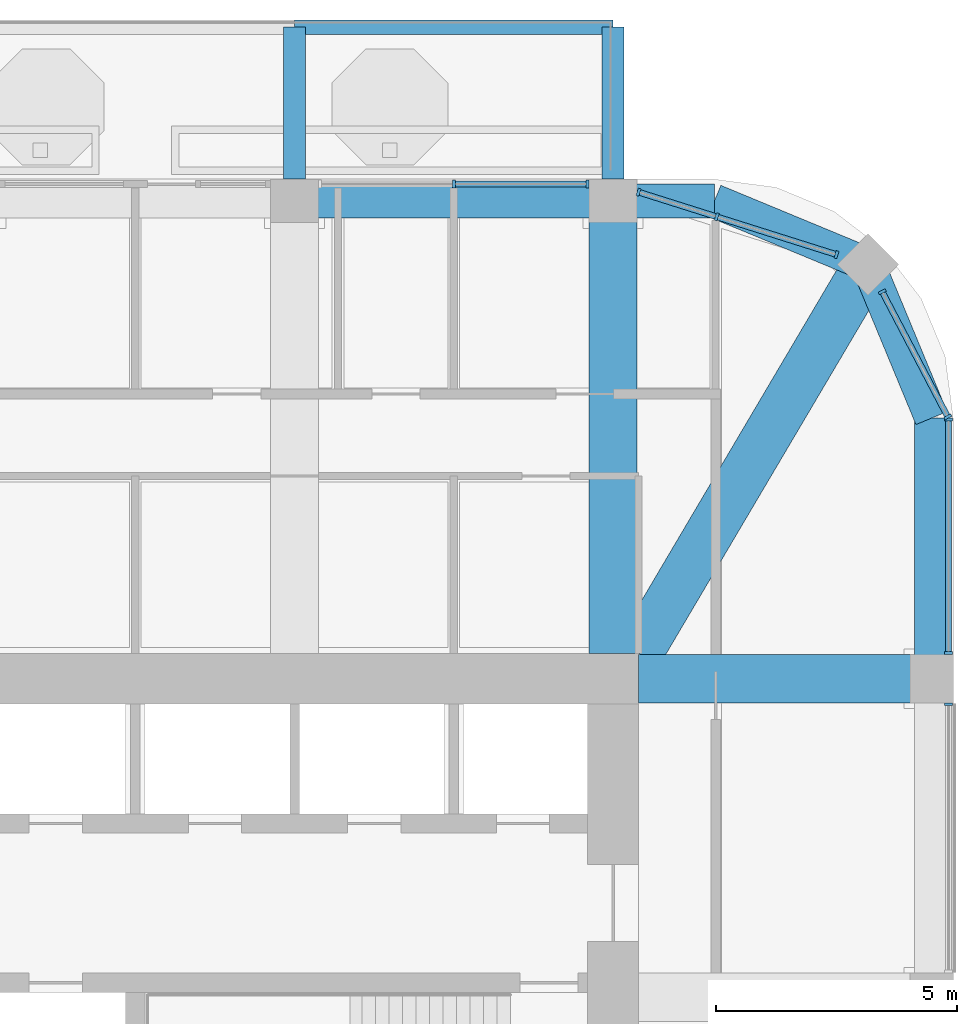
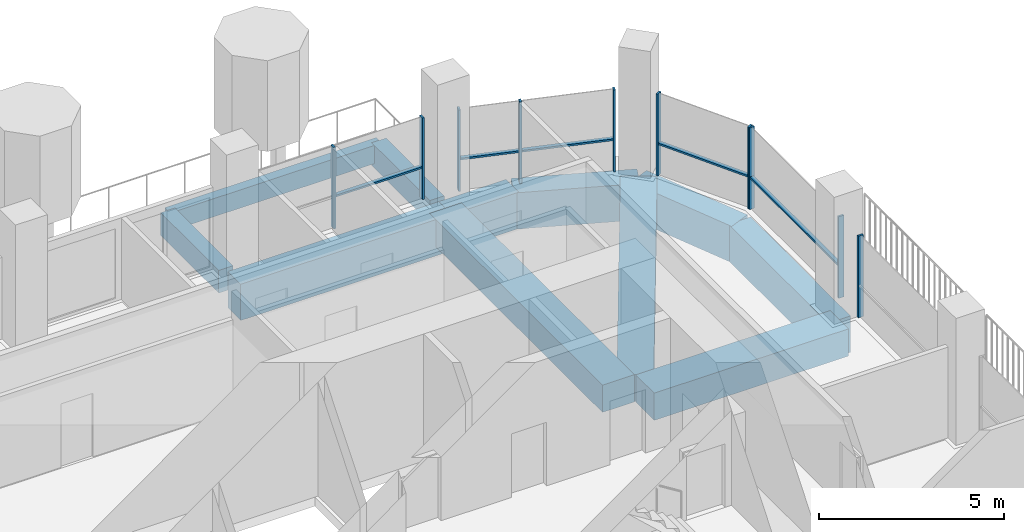
# One storey, part 7 of 21: 15 members, 11 beams, 5 elements without a shape of their own.
"""IFC4 building model written with IfcOpenShell, lengths in metres."""

import ifcopenshell
import ifcopenshell.guid

model = None  # the IFC model being written
_history = None  # IfcOwnerHistory: only IFC2X3 demands one
_inside = {}  # id of a spatial element -> (the spatial element, [elements in it])
_under = {}  # id of a project, library or spatial element -> (it, [spatial elements below it])
_declared = {}  # id of a project -> (the project, [libraries it declares])
_typed = {}  # id of a type object -> (the type object, [elements of that type])
_made_of = {}  # id of a material, layer set ... -> (it, [elements and type objects made of it])


def new_model(schema):
    """Start an empty IFC model of exactly this schema.

    Asked for "IFC4X3", IfcOpenShell would pick the latest addendum, in which some entities
    have other attributes; the version numbers below select the first issue.
    IFC2X3 requires an IfcOwnerHistory on every rooted entity: one is made here for all.
    """
    global model, _history
    if schema == "IFC4X3":
        model = ifcopenshell.file(schema_version=(4, 3, 0, 0))
    else:
        model = ifcopenshell.file(schema=schema)
    _inside.clear()
    _under.clear()
    _declared.clear()
    _typed.clear()
    _made_of.clear()
    _history = None
    if model.schema == "IFC2X3":
        org = make("IfcOrganization", Name="unknown")
        user = make(
            "IfcPersonAndOrganization",
            ThePerson=make("IfcPerson", FamilyName="unknown"),
            TheOrganization=org,
        )
        app = make(
            "IfcApplication",
            ApplicationDeveloper=org,
            Version="unknown",
            ApplicationFullName="unknown",
            ApplicationIdentifier="unknown",
        )
        _history = make(
            "IfcOwnerHistory",
            OwningUser=user,
            OwningApplication=app,
            ChangeAction="ADDED",
            CreationDate=0,
        )
    return model


def make(cls, **values):
    """One entity of the class cls with the attributes given. An attribute that is None is left unset."""
    return model.create_entity(
        cls, **{name: value for name, value in values.items() if value is not None}
    )


def rooted(cls, **values):
    """An entity with a GlobalId (a new one), such as an element, a storey or a relation."""
    return make(cls, GlobalId=ifcopenshell.guid.new(), OwnerHistory=_history, **values)


def si_unit(unit_type, name, prefix=None):
    """IfcSIUnit, for example si_unit("LENGTHUNIT", "METRE", prefix="MILLI")."""
    return make("IfcSIUnit", UnitType=unit_type, Prefix=prefix, Name=name)


def assignment(units):
    """IfcUnitAssignment: the units of a project."""
    return None if units is None else make("IfcUnitAssignment", Units=units)


def point(xyz):
    """IfcCartesianPoint."""
    return None if xyz is None else make("IfcCartesianPoint", Coordinates=xyz)


def direction(xyz):
    """IfcDirection."""
    return None if xyz is None else make("IfcDirection", DirectionRatios=xyz)


def frame(location, z_axis=None, x_axis=None):
    """IfcAxis2Placement3D, a coordinate frame: its origin and axes. An axis left out is left unset."""
    return make(
        "IfcAxis2Placement3D",
        Location=point(location),
        Axis=direction(z_axis),
        RefDirection=direction(x_axis),
    )


def frame_2d(location, x_axis=None):
    """IfcAxis2Placement2D, a coordinate frame in the plane: its origin and x axis."""
    return make(
        "IfcAxis2Placement2D", Location=point(location), RefDirection=direction(x_axis)
    )


def origin():
    """The frame at (0, 0, 0) with its axes left unset."""
    return frame((0.0, 0.0, 0.0))


def origin_2d():
    """The frame at (0, 0) in the plane with its x axis left unset."""
    return frame_2d((0.0, 0.0))


def place(relative_to, where):
    """IfcLocalPlacement: puts the frame where relative to a parent placement (None: the world)."""
    return make(
        "IfcLocalPlacement", PlacementRelTo=relative_to, RelativePlacement=where
    )


def context(
    kind, dimensions, precision=None, world=None, true_north=None, identifier=None
):
    """IfcGeometricRepresentationContext, for example the 3D "Model" context."""
    return make(
        "IfcGeometricRepresentationContext",
        ContextIdentifier=identifier,
        ContextType=kind,
        CoordinateSpaceDimension=dimensions,
        Precision=precision,
        WorldCoordinateSystem=world,
        TrueNorth=true_north,
    )


def subcontext(parent, identifier, kind, view, scale=None):
    """IfcGeometricRepresentationSubContext, for example "Body" below "Model"."""
    return make(
        "IfcGeometricRepresentationSubContext",
        ContextIdentifier=identifier,
        ContextType=kind,
        ParentContext=parent,
        TargetScale=scale,
        TargetView=view,
    )


def project(units=None, contexts=None):
    """IfcProject with its units and contexts."""
    return rooted(
        "IfcProject",
        Name="project",
        RepresentationContexts=contexts,
        UnitsInContext=assignment(units),
    )


def spatial(cls, under=None, at=None, **own):
    """A site, building, storey or space (cls), placed at a placement, below another one or the project."""
    s = rooted(cls, ObjectPlacement=at, **own)
    if under is not None:
        _under.setdefault(under.id(), (under, []))[1].append(s)
    return s


def profile(cls, at=None, kind="AREA", **sizes):
    """A parametric profile (cls). Its sizes go by their IFC names, for example OverallWidth=200.0."""
    return make(cls, ProfileType=kind, Position=at, **sizes)


def rectangle(**sizes):
    """IfcRectangleProfileDef."""
    return profile("IfcRectangleProfileDef", **sizes)


def extrude(swept, where, along, depth):
    """IfcExtrudedAreaSolid: the profile swept, set in the frame where, extruded along a direction by depth."""
    return make(
        "IfcExtrudedAreaSolid",
        SweptArea=swept,
        Position=where,
        ExtrudedDirection=direction(along),
        Depth=depth,
    )


def shape(context_of_items, identifier, shape_type, items):
    """IfcShapeRepresentation: the items that make up one representation, for example the "Body"."""
    return make(
        "IfcShapeRepresentation",
        ContextOfItems=context_of_items,
        RepresentationIdentifier=identifier,
        RepresentationType=shape_type,
        Items=items,
    )


def material(Name=None, Category=None):
    """IfcMaterial."""
    return make("IfcMaterial", Name=Name, Category=Category)


def material_profile(
    of_material, cross_section, Name=None, Category=None, Priority=None
):
    """IfcMaterialProfile: a cross section and its material."""
    return make(
        "IfcMaterialProfile",
        Name=Name,
        Material=of_material,
        Profile=cross_section,
        Priority=Priority,
        Category=Category,
    )


def profile_set(profiles, Name=None, composite=None):
    """IfcMaterialProfileSet."""
    return make(
        "IfcMaterialProfileSet",
        Name=Name,
        MaterialProfiles=profiles,
        CompositeProfile=composite,
    )


def made_of(thing, what):
    """Note that an element or type object is made of a material, layer set ...; save() writes the relation."""
    if what is not None:
        _made_of.setdefault(what.id(), (what, []))[1].append(thing)
    return thing


def type_object(cls, material=None, **own):
    """A type object (cls), such as IfcWallType, which elements share."""
    return made_of(rooted(cls, **own), material)


def element(
    cls,
    number,
    at=None,
    inside=None,
    cuts=None,
    type_object=None,
    material=None,
    context=None,
    identifier="Body",
    shape_type=None,
    held_by="IfcProductDefinitionShape",
    body=None,
    shapes=None,
    **own,
):
    """One element of the class cls, such as IfcWall. Its Tag is "e" and its number.

    at: its placement. inside: the storey or other place that contains it. cuts: it is an
    opening in that element (IfcRelVoidsElement). A single representation is given by context,
    identifier, shape_type and body (its items); several are given by shapes. held_by: the class
    of the entity that holds the representations. save() writes the other relations.
    """
    e = rooted(cls, Tag="e%d" % number, ObjectPlacement=at, **own)
    if body is not None:
        shapes = [shape(context, identifier, shape_type, body)]
    if shapes is not None:
        e.Representation = make(held_by, Representations=shapes)
    if inside is not None:
        _inside.setdefault(inside.id(), (inside, []))[1].append(e)
    if cuts is not None:
        rooted(
            "IfcRelVoidsElement", RelatingBuildingElement=cuts, RelatedOpeningElement=e
        )
    if type_object is not None:
        _typed.setdefault(type_object.id(), (type_object, []))[1].append(e)
    return made_of(e, material)


def aggregate(whole, parts):
    """IfcRelAggregates: a whole, such as a stair, and the parts it consists of."""
    return rooted("IfcRelAggregates", RelatingObject=whole, RelatedObjects=parts)


def save(model, path):
    """Write the relations noted so far, then the file.

    IfcRelAggregates (storeys below a building ...), IfcRelContainedInSpatialStructure (elements
    in a storey), IfcRelDefinesByType, IfcRelAssociatesMaterial and IfcRelDeclares: one each for
    every whole, place, type object, material and project.
    """
    for whole, parts in _under.values():
        aggregate(whole, parts)
    for where, things in _inside.values():
        rooted(
            "IfcRelContainedInSpatialStructure",
            RelatedElements=things,
            RelatingStructure=where,
        )
    for kind, things in _typed.values():
        rooted("IfcRelDefinesByType", RelatedObjects=things, RelatingType=kind)
    for what, things in _made_of.values():
        rooted("IfcRelAssociatesMaterial", RelatedObjects=things, RelatingMaterial=what)
    for by, libraries in _declared.values():
        rooted("IfcRelDeclares", RelatingContext=by, RelatedDefinitions=libraries)
    model.write(path)


model = new_model("IFC4")

# Units and contexts
model_context = context("Model", 3, precision=1e-05, world=origin(), true_north=direction((0.0, 1.0)))
body_context = subcontext(model_context, "Body", "Model", "MODEL_VIEW")
ifc_project = project(units=[si_unit("LENGTHUNIT", "METRE"), si_unit("AREAUNIT", "SQUARE_METRE"), si_unit("VOLUMEUNIT", "CUBIC_METRE"), si_unit("PLANEANGLEUNIT", "RADIAN"), si_unit("MASSUNIT", "GRAM", prefix="KILO")], contexts=[model_context])

# Site, building, storey
site_placement = place(None, origin())
site = spatial("IfcSite", under=ifc_project, at=site_placement, CompositionType="ELEMENT")
building_placement = place(site_placement, origin())
building = spatial("IfcBuilding", under=site, at=building_placement, Name="Cobogo Forest Laboratory Tower", CompositionType="ELEMENT")
storey_placement = place(building_placement, frame((0.0, 0.0, 283.800048828125)))
storey = spatial("IfcBuildingStorey", under=building, at=storey_placement, Name="L65", CompositionType="ELEMENT", Elevation=283.800048828125)

# Beams
ifc_material_1 = material(Name="Concrete HA-40 (C40/50)", Category="concrete")
ifc_material_profile_1 = material_profile(ifc_material_1, rectangle(XDim=0.449951171875, YDim=0.75, at=origin_2d()), Name="RC 450x750")
ifc_profile_set_1 = profile_set([ifc_material_profile_1], Name="Concrete HA-40 (C40/50)")
beam_type_1 = type_object("IfcBeamType", Name="Balcony cantilever beam 450x750", PredefinedType="BEAM", material=ifc_profile_set_1)
for number, where, z_axis, x_axis, name in (
    (1, (33.0, 43.35009765625, -0.625), (0.0, 1.0, 0.0), (-1.0, 0.0, 0.0), "CB1 BAL-N1-C2 L65"),
    (2, (39.60009765625, 43.35009765625, -0.625), (0.0, 1.0, 0.0), (-1.0, 0.0, 0.0), "CB1 BAL-N1-C3 L65"),
):
    element("IfcBeam", number, at=place(storey_placement, frame(where, z_axis=z_axis, x_axis=x_axis)), inside=storey, type_object=beam_type_1, Name=name, PredefinedType="BEAM", context=body_context, shape_type="SweptSolid", body=[
        extrude(rectangle(XDim=0.449951171875, YDim=0.75, at=origin_2d()), origin(), (0.0, 0.0, 1.0), 3.14990234375),
    ])
ifc_material_profile_2 = material_profile(ifc_material_1, rectangle(XDim=0.300048828125, YDim=0.60009765625, at=origin_2d()), Name="RC 300x600")
ifc_profile_set_2 = profile_set([ifc_material_profile_2], Name="Concrete HA-40 (C40/50)")
beam_type_2 = type_object("IfcBeamType", Name="Balcony edge beam 300x600", PredefinedType="BEAM", material=ifc_profile_set_2)
beam_1_placement = place(storey_placement, frame((33.0, 46.5, -0.550048828125), z_axis=(1.0, 0.0, 0.0), x_axis=(0.0, 1.0, 0.0)))
element("IfcBeam", 3, at=beam_1_placement, inside=storey, type_object=beam_type_2, Name="BB1 BAL-N1-T2 L65", PredefinedType="BEAM", context=body_context, shape_type="SweptSolid", body=[
    extrude(rectangle(XDim=0.300048828125, YDim=0.60009765625, at=origin_2d()), origin(), (0.0, 0.0, 1.0), 6.60009765625),
])

# Curtain wall, member
ifc_material_2 = material(Name="Aluminium curtain wall", Category="aluminium")
curtain_wall_type = type_object("IfcCurtainWallType", Name="CW-2 unitised curtain wall, solar control glazing, laboratory floors zones C and D", PredefinedType="USERDEFINED", material=ifc_material_2)
curtain_wall_1_placement = place(storey_placement, origin())
curtain_wall_1 = element("IfcCurtainWall", 4, at=curtain_wall_1_placement, inside=storey, type_object=curtain_wall_type, Name="Curtain wall 10 L65", ObjectType="UNITISED CURTAIN WALL", PredefinedType="USERDEFINED")
ifc_material_3 = material(Name="Aluminium mullion", Category="aluminium")
ifc_material_profile_3 = material_profile(ifc_material_3, rectangle(XDim=0.06005859375, YDim=0.159912109375, at=origin_2d()), Name="AL 60x160")
ifc_profile_set_3 = profile_set([ifc_material_profile_3], Name="Aluminium mullion")
member_type_1 = type_object("IfcMemberType", Name="MU-1 aluminium mullion 60x160", PredefinedType="MULLION", material=ifc_profile_set_3)
member_1_placement = place(storey_placement, frame((46.550048828125, 32.469970703125, 0.0), z_axis=(0.0, 0.0, 1.0), x_axis=(0.0, 1.0, 0.0)))
member_1 = element("IfcMember", 5, at=member_1_placement, type_object=member_type_1, Name="CW-2 mullion 2", PredefinedType="MULLION", context=body_context, shape_type="SweptSolid", body=[
    extrude(rectangle(XDim=0.06005859375, YDim=0.159912109375, at=origin_2d()), origin(), (0.0, 0.0, 1.0), 2.699951171875),
])
aggregate(curtain_wall_1, [member_1])

# Curtain wall, members
curtain_wall_2_placement = place(storey_placement, origin())
curtain_wall_2 = element("IfcCurtainWall", 6, at=curtain_wall_2_placement, inside=storey, type_object=curtain_wall_type, Name="Curtain wall 11 L65", ObjectType="UNITISED CURTAIN WALL", PredefinedType="USERDEFINED")
member_2_placement = place(storey_placement, frame((46.550048828125, 33.530029296875, 0.0), z_axis=(0.0, 0.0, 1.0), x_axis=(0.0, 1.0, 0.0)))
member_2 = element("IfcMember", 7, at=member_2_placement, type_object=member_type_1, Name="CW-2 mullion 1", PredefinedType="MULLION", context=body_context, shape_type="SweptSolid", body=[
    extrude(rectangle(XDim=0.06005859375, YDim=0.159912109375, at=origin_2d()), origin(), (0.0, 0.0, 1.0), 2.699951171875),
])
member_3_placement = place(storey_placement, frame((46.550048828125, 38.3701171875, 0.0), z_axis=(0.0, 0.0, 1.0), x_axis=(0.0, 1.0, 0.0)))
member_3 = element("IfcMember", 8, at=member_3_placement, type_object=member_type_1, Name="CW-2 mullion 2", PredefinedType="MULLION", context=body_context, shape_type="SweptSolid", body=[
    extrude(rectangle(XDim=0.06005859375, YDim=0.159912109375, at=origin_2d()), origin(), (0.0, 0.0, 1.0), 2.699951171875),
])

curtain_wall_3_placement = place(storey_placement, origin())
curtain_wall_3 = element("IfcCurtainWall", 9, at=curtain_wall_3_placement, inside=storey, type_object=curtain_wall_type, Name="Curtain wall 12 L65", ObjectType="UNITISED CURTAIN WALL", PredefinedType="USERDEFINED")
member_4_placement = place(storey_placement, frame((46.5361328125, 38.426513671875, 0.0), z_axis=(0.0, 0.0, 1.0), x_axis=(-0.464283778337, 0.885686498245, 0.0)))
member_4 = element("IfcMember", 10, at=member_4_placement, type_object=member_type_1, Name="CW-2 mullion 1", PredefinedType="MULLION", context=body_context, shape_type="SweptSolid", body=[
    extrude(rectangle(XDim=0.06005859375, YDim=0.159912109375, at=origin_2d()), origin(), (0.0, 0.0, 1.0), 2.699951171875),
])
member_5_placement = place(storey_placement, frame((45.177978515625, 41.017333984375, 0.0), z_axis=(0.0, 0.0, 1.0), x_axis=(-0.464283778337, 0.885686498245, 0.0)))
member_5 = element("IfcMember", 11, at=member_5_placement, type_object=member_type_1, Name="CW-2 mullion 2", PredefinedType="MULLION", context=body_context, shape_type="SweptSolid", body=[
    extrude(rectangle(XDim=0.06005859375, YDim=0.159912109375, at=origin_2d()), origin(), (0.0, 0.0, 1.0), 2.699951171875),
])

curtain_wall_4_placement = place(storey_placement, origin())
curtain_wall_4 = element("IfcCurtainWall", 12, at=curtain_wall_4_placement, inside=storey, type_object=curtain_wall_type, Name="Curtain wall 13 L65", ObjectType="UNITISED CURTAIN WALL", PredefinedType="USERDEFINED")
member_6_placement = place(storey_placement, frame((44.22998046875, 41.787841796875, 0.0), z_axis=(0.0, 0.0, 1.0), x_axis=(-0.953581379409, 0.301135439371, 0.0)))
member_6 = element("IfcMember", 13, at=member_6_placement, type_object=member_type_1, Name="CW-2 mullion 1", PredefinedType="MULLION", context=body_context, shape_type="SweptSolid", body=[
    extrude(rectangle(XDim=0.06005859375, YDim=0.159912109375, at=origin_2d()), origin(), (0.0, 0.0, 1.0), 2.699951171875),
])
member_7_placement = place(storey_placement, frame((41.7490234375, 42.5712890625, 0.0), z_axis=(0.0, 0.0, 1.0), x_axis=(-0.953581379409, 0.301135439371, 0.0)))
member_7 = element("IfcMember", 14, at=member_7_placement, type_object=member_type_1, Name="CW-2 mullion 2", PredefinedType="MULLION", context=body_context, shape_type="SweptSolid", body=[
    extrude(rectangle(XDim=0.06005859375, YDim=0.159912109375, at=origin_2d()), origin(), (0.0, 0.0, 1.0), 2.699951171875),
])
member_8_placement = place(storey_placement, frame((40.128662109375, 43.0830078125, 0.0), z_axis=(0.0, 0.0, 1.0), x_axis=(-0.953581379409, 0.301135439371, 0.0)))
member_8 = element("IfcMember", 15, at=member_8_placement, type_object=member_type_1, Name="CW-2 mullion 3", PredefinedType="MULLION", context=body_context, shape_type="SweptSolid", body=[
    extrude(rectangle(XDim=0.06005859375, YDim=0.159912109375, at=origin_2d()), origin(), (0.0, 0.0, 1.0), 2.699951171875),
])

curtain_wall_5_placement = place(storey_placement, origin())
curtain_wall_5 = element("IfcCurtainWall", 16, at=curtain_wall_5_placement, inside=storey, type_object=curtain_wall_type, Name="Curtain wall 14 L65", ObjectType="UNITISED CURTAIN WALL", PredefinedType="USERDEFINED")
member_9_placement = place(storey_placement, frame((39.070068359375, 43.25, 0.0), z_axis=(0.0, 0.0, 1.0), x_axis=(-1.0, 0.0, 0.0)))
member_9 = element("IfcMember", 17, at=member_9_placement, type_object=member_type_1, Name="CW-2 mullion 1", PredefinedType="MULLION", context=body_context, shape_type="SweptSolid", body=[
    extrude(rectangle(XDim=0.06005859375, YDim=0.159912109375, at=origin_2d()), origin(), (0.0, 0.0, 1.0), 2.699951171875),
])
member_10_placement = place(storey_placement, frame((36.300048828125, 43.25, 0.0), z_axis=(0.0, 0.0, 1.0), x_axis=(-1.0, 0.0, 0.0)))
member_10 = element("IfcMember", 18, at=member_10_placement, type_object=member_type_1, Name="CW-2 mullion 2", PredefinedType="MULLION", context=body_context, shape_type="SweptSolid", body=[
    extrude(rectangle(XDim=0.06005859375, YDim=0.159912109375, at=origin_2d()), origin(), (0.0, 0.0, 1.0), 2.699951171875),
])

# Beams
ifc_material_profile_4 = material_profile(ifc_material_1, rectangle(XDim=1.0, YDim=0.89990234375, at=origin_2d()), Name="RC 1000x900")
ifc_profile_set_4 = profile_set([ifc_material_profile_4], Name="Concrete HA-40 (C40/50)")
beam_type_3 = type_object("IfcBeamType", Name="Office floor wide beam 1000x900", PredefinedType="BEAM", material=ifc_profile_set_4)
beam_2_placement = place(storey_placement, frame((39.60009765625, 33.52490234375, -0.75), z_axis=(0.0, 1.0, 0.0), x_axis=(-1.0, 0.0, 0.0)))
element("IfcBeam", 19, at=beam_2_placement, inside=storey, type_object=beam_type_3, Name="RB2 R-7-N L65", PredefinedType="BEAM", context=body_context, shape_type="SweptSolid", body=[
    extrude(rectangle(XDim=1.0, YDim=0.89990234375, at=origin_2d()), origin(), (0.0, 0.0, 1.0), 9.375),
])
beam_3_placement = place(storey_placement, frame((40.125, 33.0, -0.75), z_axis=(1.0, 0.0, 0.0), x_axis=(0.0, 1.0, 0.0)))
element("IfcBeam", 20, at=beam_3_placement, inside=storey, type_object=beam_type_3, Name="RB2 R-F-E L65", PredefinedType="BEAM", context=body_context, shape_type="SweptSolid", body=[
    extrude(rectangle(XDim=1.0, YDim=0.89990234375, at=origin_2d()), origin(), (0.0, 0.0, 1.0), 6.074951171875),
])
beam_4_placement = place(storey_placement, frame((44.882080078125, 41.58203125, -0.75), z_axis=(-0.508416325908, -0.861111397875, 0.0), x_axis=(0.861111397875, -0.508416325908, 0.0)))
element("IfcBeam", 21, at=beam_4_placement, inside=storey, type_object=beam_type_3, Name="RB2 G-NE-D1 L65", PredefinedType="BEAM", context=body_context, shape_type="SweptSolid", body=[
    extrude(rectangle(XDim=1.0, YDim=0.89990234375, at=origin_2d()), origin(), (0.0, 0.0, 1.0), 9.356689453125),
])
ifc_material_profile_5 = material_profile(ifc_material_1, rectangle(XDim=0.699951171875, YDim=1.199951171875, at=origin_2d()), Name="RC 700x1200")
ifc_profile_set_5 = profile_set([ifc_material_profile_5], Name="Concrete HA-40 (C40/50)")
beam_type_4 = type_object("IfcBeamType", Name="Perimeter edge beam 700x1200", PredefinedType="BEAM", material=ifc_profile_set_5)
beam_5_placement = place(storey_placement, frame((33.0, 42.89990234375, -0.900146484375), z_axis=(1.0, 0.0, 0.0), x_axis=(0.0, 1.0, 0.0)))
element("IfcBeam", 22, at=beam_5_placement, inside=storey, type_object=beam_type_4, Name="EB1 E-N4 L65", PredefinedType="BEAM", context=body_context, shape_type="SweptSolid", body=[
    extrude(rectangle(XDim=0.699951171875, YDim=1.199951171875, at=origin_2d()), origin(), (0.0, 0.0, 1.0), 6.60009765625),
])
beam_6_placement = place(storey_placement, frame((46.199951171875, 33.0, -0.900146484375), z_axis=(0.0, 1.0, 0.0), x_axis=(-1.0, 0.0, 0.0)))
element("IfcBeam", 23, at=beam_6_placement, inside=storey, type_object=beam_type_4, Name="EB1 E-NEE1 L65", PredefinedType="BEAM", context=body_context, shape_type="SweptSolid", body=[
    extrude(rectangle(XDim=0.699951171875, YDim=1.199951171875, at=origin_2d()), origin(), (0.0, 0.0, 1.0), 5.39990234375),
])
beam_7_placement = place(storey_placement, frame((46.199951171875, 38.39990234375, -0.900146484375), z_axis=(-0.382631424892, 0.923901072997, 0.0), x_axis=(-0.923901072997, -0.382631424892, 0.0)))
element("IfcBeam", 24, at=beam_7_placement, inside=storey, type_object=beam_type_4, Name="EB1 E-NEE2 L65", PredefinedType="BEAM", context=body_context, shape_type="SweptSolid", body=[
    extrude(rectangle(XDim=0.699951171875, YDim=1.199951171875, at=origin_2d()), origin(), (0.0, 0.0, 1.0), 3.4443359375),
])
beam_8_placement = place(storey_placement, frame((39.60009765625, 42.89990234375, -0.900146484375), z_axis=(1.0, 0.0, 0.0), x_axis=(0.0, 1.0, 0.0)))
element("IfcBeam", 25, at=beam_8_placement, inside=storey, type_object=beam_type_4, Name="EB1 E-NEN1 L65", PredefinedType="BEAM", context=body_context, shape_type="SweptSolid", body=[
    extrude(rectangle(XDim=0.699951171875, YDim=1.199951171875, at=origin_2d()), origin(), (0.0, 0.0, 1.0), 2.099853515625),
])
beam_9_placement = place(storey_placement, frame((41.699951171875, 42.89990234375, -0.900146484375), z_axis=(0.923901072997, -0.382631424892, 0.0), x_axis=(0.382631424892, 0.923901072997, 0.0)))
element("IfcBeam", 26, at=beam_9_placement, inside=storey, type_object=beam_type_4, Name="EB1 E-NEN2 L65", PredefinedType="BEAM", context=body_context, shape_type="SweptSolid", body=[
    extrude(rectangle(XDim=0.699951171875, YDim=1.199951171875, at=origin_2d()), origin(), (0.0, 0.0, 1.0), 3.4443359375),
])

# Member
ifc_material_4 = material(Name="Aluminium transom", Category="aluminium")
ifc_material_profile_6 = material_profile(ifc_material_4, rectangle(XDim=0.1201171875, YDim=0.06005859375, at=origin_2d()), Name="AL 60x120")
ifc_profile_set_6 = profile_set([ifc_material_profile_6], Name="Aluminium transom")
member_type_2 = type_object("IfcMemberType", Name="TR-1 aluminium transom 60x120", PredefinedType="USERDEFINED", material=ifc_profile_set_6)
member_11_placement = place(storey_placement, frame((46.550048828125, 33.56005859375, 1.050048828125), z_axis=(0.0, 1.0, 0.0), x_axis=(-1.0, 0.0, 0.0)))
member_11 = element("IfcMember", 27, at=member_11_placement, type_object=member_type_2, Name="CW-2 transom 1.1", ObjectType="TRANSOM", PredefinedType="USERDEFINED", context=body_context, shape_type="SweptSolid", body=[
    extrude(rectangle(XDim=0.1201171875, YDim=0.06005859375, at=origin_2d()), origin(), (0.0, 0.0, 1.0), 4.780029296875),
])

aggregate(curtain_wall_2, [member_2, member_3, member_11])

member_12_placement = place(storey_placement, frame((46.522216796875, 38.453125, 1.050048828125), z_axis=(-0.46430944806, 0.885673041501, 0.0), x_axis=(-0.885673041501, -0.46430944806, 0.0)))
member_12 = element("IfcMember", 28, at=member_12_placement, type_object=member_type_2, Name="CW-2 transom 1.1", ObjectType="TRANSOM", PredefinedType="USERDEFINED", context=body_context, shape_type="SweptSolid", body=[
    extrude(rectangle(XDim=0.1201171875, YDim=0.06005859375, at=origin_2d()), origin(), (0.0, 0.0, 1.0), 2.865234375),
])

aggregate(curtain_wall_3, [member_4, member_5, member_12])

member_13_placement = place(storey_placement, frame((44.201416015625, 41.796875, 1.050048828125), z_axis=(-0.953587019958, 0.301117577314, 0.0), x_axis=(-0.301117577314, -0.953587019958, 0.0)))
member_13 = element("IfcMember", 29, at=member_13_placement, type_object=member_type_2, Name="CW-2 transom 1.1", ObjectType="TRANSOM", PredefinedType="USERDEFINED", context=body_context, shape_type="SweptSolid", body=[
    extrude(rectangle(XDim=0.1201171875, YDim=0.06005859375, at=origin_2d()), origin(), (0.0, 0.0, 1.0), 2.541748046875),
])

member_14_placement = place(storey_placement, frame((41.720458984375, 42.580322265625, 1.050048828125), z_axis=(-0.953582665134, 0.301131367937, 0.0), x_axis=(-0.301131367937, -0.953582665134, 0.0)))
member_14 = element("IfcMember", 30, at=member_14_placement, type_object=member_type_2, Name="CW-2 transom 2.1", ObjectType="TRANSOM", PredefinedType="USERDEFINED", context=body_context, shape_type="SweptSolid", body=[
    extrude(rectangle(XDim=0.1201171875, YDim=0.06005859375, at=origin_2d()), origin(), (0.0, 0.0, 1.0), 1.639404296875),
])

aggregate(curtain_wall_4, [member_6, member_7, member_8, member_13, member_14])

member_15_placement = place(storey_placement, frame((39.0400390625, 43.25, 1.050048828125), z_axis=(-1.0, 0.0, 0.0), x_axis=(0.0, -1.0, 0.0)))
member_15 = element("IfcMember", 31, at=member_15_placement, type_object=member_type_2, Name="CW-2 transom 1.1", ObjectType="TRANSOM", PredefinedType="USERDEFINED", context=body_context, shape_type="SweptSolid", body=[
    extrude(rectangle(XDim=0.1201171875, YDim=0.06005859375, at=origin_2d()), origin(), (0.0, 0.0, 1.0), 2.7099609375),
])

aggregate(curtain_wall_5, [member_9, member_10, member_15])

save(model, "model.ifc")
